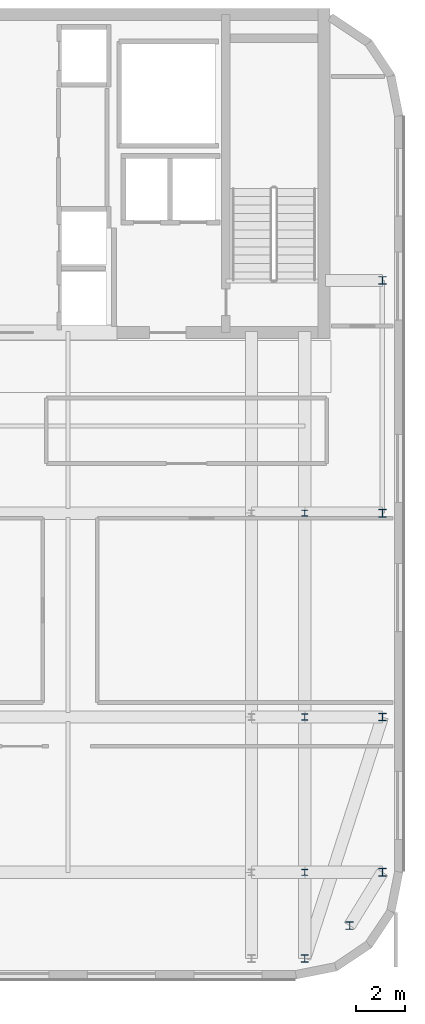
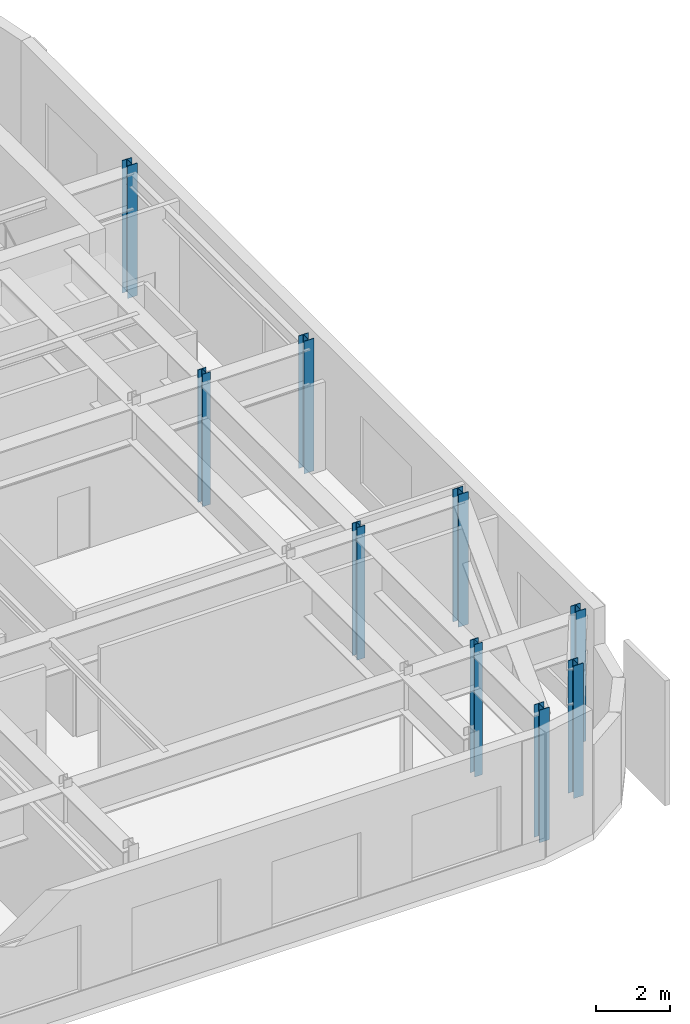
# One storey, part 3 of 13: 9 columns.
"""IFC4 building model written with IfcOpenShell, lengths in metres."""

from ifc_helpers import new_model, si_unit, direction, frame, origin, origin_2d, place, context, subcontext, project, spatial, i_section, extrude, source, transform, mapped, material, material_profile, profile_set, type_object, type_shapes, element, save


model = new_model("IFC4")

# Units and contexts
model_context = context("Model", 3, precision=1e-05, world=origin(), true_north=direction((0.0, 1.0)))
body_context = subcontext(model_context, "Body", "Model", "MODEL_VIEW")
ifc_project = project(units=[si_unit("LENGTHUNIT", "METRE"), si_unit("AREAUNIT", "SQUARE_METRE"), si_unit("VOLUMEUNIT", "CUBIC_METRE"), si_unit("PLANEANGLEUNIT", "RADIAN"), si_unit("MASSUNIT", "GRAM", prefix="KILO")], contexts=[model_context])

# Site, building, storey
site_placement = place(None, origin())
site = spatial("IfcSite", under=ifc_project, at=site_placement, CompositionType="ELEMENT")
building_placement = place(site_placement, origin())
building = spatial("IfcBuilding", under=site, at=building_placement, Name="Tolvann Quenvar Hotel", CompositionType="ELEMENT")
storey_placement = place(building_placement, frame((0.0, 0.0, 286.550048828125)))
storey = spatial("IfcBuildingStorey", under=building, at=storey_placement, Name="L76", CompositionType="ELEMENT", Elevation=286.550048828125)

# Columns
ifc_material = material(Name="Steel Grade 350", Category="steel")
ifc_material_profile_1 = material_profile(ifc_material, i_section(OverallWidth=0.306884765625, OverallDepth=0.31494140625, WebThickness=0.011962890625, FlangeThickness=0.018798828125, FilletRadius=0.0166015625, at=origin_2d()), Name="310UC118")
ifc_profile_set_1 = profile_set([ifc_material_profile_1], Name="Steel Grade 350")
column_type_1 = type_object("IfcColumnType", Name="COL_310UC118", PredefinedType="COLUMN", material=ifc_profile_set_1)
shared_shape_1 = source(origin(), body_context, "Body", "SweptSolid", [
    extrude(i_section(OverallWidth=0.306884765625, OverallDepth=0.31494140625, WebThickness=0.011962890625, FlangeThickness=0.018798828125, FilletRadius=0.0166015625, at=origin_2d()), origin(), (0.0, 0.0, 1.0), 4.39990234375),
])
type_shapes(column_type_1, [shared_shape_1])
for number, where, z_axis, x_axis, name in (
    (1, (34.949951171875, 6.050048828125, 0.0), (0.0, 0.0, 1.0), (1.0, 0.0, 0.0), "Column F2 (L76)"),
    (2, (36.800048828125, 7.39990234375, 0.0), (0.0, 0.0, 1.0), (1.0, 0.0, 0.0), "Column G2 (L76)"),
    (3, (38.14990234375, 9.60009765625, 0.0), (0.0, 0.0, 1.0), (1.0, 0.0, 0.0), "Column G3 (L76)"),
    (4, (38.14990234375, 16.0, 0.0), (0.0, 0.0, 1.0), (1.0, 0.0, 0.0), "Column G4 (L76)"),
    (5, (38.14990234375, 24.39990234375, 0.0), (0.0, 0.0, 1.0), (1.0, 0.0, 0.0), "Column G5 (L76)"),
    (6, (38.14990234375, 34.0, 0.0), (0.0, 0.0, 1.0), (1.0, 0.0, 0.0), "Column GD6 (L76)"),
):
    element("IfcColumn", number, at=place(storey_placement, frame(where, z_axis=z_axis, x_axis=x_axis)), inside=storey, type_object=column_type_1, Name=name, PredefinedType="COLUMN", context=body_context, shape_type="MappedRepresentation", body=[
        mapped(shared_shape_1, transform((0.0, 0.0, 0.0), x_axis=(1.0, 0.0, 0.0), y_axis=(0.0, 1.0, 0.0), z_axis=(0.0, 0.0, 1.0), scale=1.0)),
    ])
ifc_material_profile_2 = material_profile(ifc_material, i_section(OverallWidth=0.256103515625, OverallDepth=0.260009765625, WebThickness=0.010498046875, FlangeThickness=0.017333984375, FilletRadius=0.013916015625, at=origin_2d()), Name="250UC90")
ifc_profile_set_2 = profile_set([ifc_material_profile_2], Name="Steel Grade 350")
column_type_2 = type_object("IfcColumnType", Name="COL_250UC90", PredefinedType="COLUMN", material=ifc_profile_set_2)
shared_shape_2 = source(origin(), body_context, "Body", "SweptSolid", [
    extrude(i_section(OverallWidth=0.256103515625, OverallDepth=0.260009765625, WebThickness=0.010498046875, FlangeThickness=0.017333984375, FilletRadius=0.013916015625, at=origin_2d()), origin(), (0.0, 0.0, 1.0), 4.39990234375),
])
type_shapes(column_type_2, [shared_shape_2])
for number, where, z_axis, x_axis, name in (
    (7, (34.949951171875, 9.60009765625, 0.0), (0.0, 0.0, 1.0), (1.0, 0.0, 0.0), "Column F3 (L76)"),
    (8, (34.949951171875, 16.0, 0.0), (0.0, 0.0, 1.0), (1.0, 0.0, 0.0), "Column F4 (L76)"),
    (9, (34.949951171875, 24.39990234375, 0.0), (0.0, 0.0, 1.0), (1.0, 0.0, 0.0), "Column F5 (L76)"),
):
    element("IfcColumn", number, at=place(storey_placement, frame(where, z_axis=z_axis, x_axis=x_axis)), inside=storey, type_object=column_type_2, Name=name, PredefinedType="COLUMN", context=body_context, shape_type="MappedRepresentation", body=[
        mapped(shared_shape_2, transform((0.0, 0.0, 0.0), x_axis=(1.0, 0.0, 0.0), y_axis=(0.0, 1.0, 0.0), z_axis=(0.0, 0.0, 1.0), scale=1.0)),
    ])

save(model, "model.ifc")
